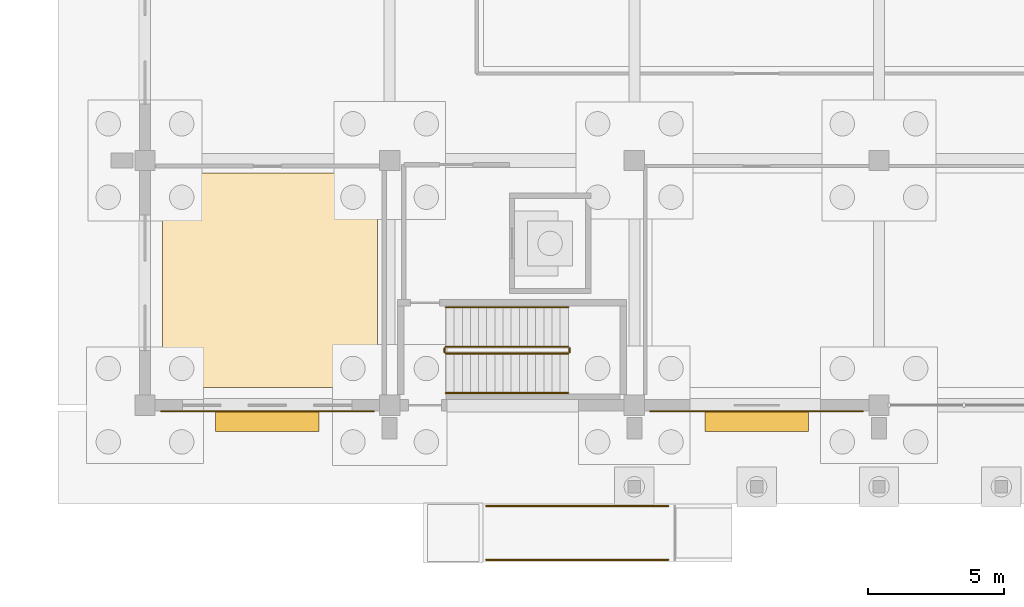
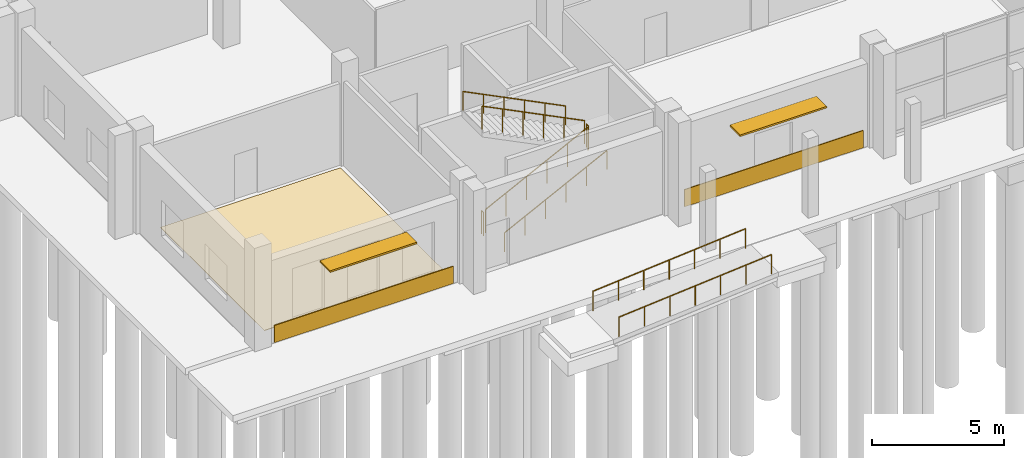
# One storey, part 88 of 112: 8 railings, 3 coverings, 2 shading devices.
"""IFC4 building model written with IfcOpenShell, lengths in metres."""

import ifcopenshell
import ifcopenshell.guid

model = None  # the IFC model being written
_history = None  # IfcOwnerHistory: only IFC2X3 demands one
_inside = {}  # id of a spatial element -> (the spatial element, [elements in it])
_under = {}  # id of a project, library or spatial element -> (it, [spatial elements below it])
_declared = {}  # id of a project -> (the project, [libraries it declares])
_typed = {}  # id of a type object -> (the type object, [elements of that type])
_made_of = {}  # id of a material, layer set ... -> (it, [elements and type objects made of it])


def new_model(schema):
    """Start an empty IFC model of exactly this schema.

    Asked for "IFC4X3", IfcOpenShell would pick the latest addendum, in which some entities
    have other attributes; the version numbers below select the first issue.
    IFC2X3 requires an IfcOwnerHistory on every rooted entity: one is made here for all.
    """
    global model, _history
    if schema == "IFC4X3":
        model = ifcopenshell.file(schema_version=(4, 3, 0, 0))
    else:
        model = ifcopenshell.file(schema=schema)
    _inside.clear()
    _under.clear()
    _declared.clear()
    _typed.clear()
    _made_of.clear()
    _history = None
    if model.schema == "IFC2X3":
        org = make("IfcOrganization", Name="unknown")
        user = make(
            "IfcPersonAndOrganization",
            ThePerson=make("IfcPerson", FamilyName="unknown"),
            TheOrganization=org,
        )
        app = make(
            "IfcApplication",
            ApplicationDeveloper=org,
            Version="unknown",
            ApplicationFullName="unknown",
            ApplicationIdentifier="unknown",
        )
        _history = make(
            "IfcOwnerHistory",
            OwningUser=user,
            OwningApplication=app,
            ChangeAction="ADDED",
            CreationDate=0,
        )
    return model


def make(cls, **values):
    """One entity of the class cls with the attributes given. An attribute that is None is left unset."""
    return model.create_entity(
        cls, **{name: value for name, value in values.items() if value is not None}
    )


def rooted(cls, **values):
    """An entity with a GlobalId (a new one), such as an element, a storey or a relation."""
    return make(cls, GlobalId=ifcopenshell.guid.new(), OwnerHistory=_history, **values)


def si_unit(unit_type, name, prefix=None):
    """IfcSIUnit, for example si_unit("LENGTHUNIT", "METRE", prefix="MILLI")."""
    return make("IfcSIUnit", UnitType=unit_type, Prefix=prefix, Name=name)


def assignment(units):
    """IfcUnitAssignment: the units of a project."""
    return None if units is None else make("IfcUnitAssignment", Units=units)


def point(xyz):
    """IfcCartesianPoint."""
    return None if xyz is None else make("IfcCartesianPoint", Coordinates=xyz)


def direction(xyz):
    """IfcDirection."""
    return None if xyz is None else make("IfcDirection", DirectionRatios=xyz)


def frame(location, z_axis=None, x_axis=None):
    """IfcAxis2Placement3D, a coordinate frame: its origin and axes. An axis left out is left unset."""
    return make(
        "IfcAxis2Placement3D",
        Location=point(location),
        Axis=direction(z_axis),
        RefDirection=direction(x_axis),
    )


def frame_2d(location, x_axis=None):
    """IfcAxis2Placement2D, a coordinate frame in the plane: its origin and x axis."""
    return make(
        "IfcAxis2Placement2D", Location=point(location), RefDirection=direction(x_axis)
    )


def origin():
    """The frame at (0, 0, 0) with its axes left unset."""
    return frame((0.0, 0.0, 0.0))


def origin_2d():
    """The frame at (0, 0) in the plane with its x axis left unset."""
    return frame_2d((0.0, 0.0))


def place(relative_to, where):
    """IfcLocalPlacement: puts the frame where relative to a parent placement (None: the world)."""
    return make(
        "IfcLocalPlacement", PlacementRelTo=relative_to, RelativePlacement=where
    )


def context(
    kind, dimensions, precision=None, world=None, true_north=None, identifier=None
):
    """IfcGeometricRepresentationContext, for example the 3D "Model" context."""
    return make(
        "IfcGeometricRepresentationContext",
        ContextIdentifier=identifier,
        ContextType=kind,
        CoordinateSpaceDimension=dimensions,
        Precision=precision,
        WorldCoordinateSystem=world,
        TrueNorth=true_north,
    )


def subcontext(parent, identifier, kind, view, scale=None):
    """IfcGeometricRepresentationSubContext, for example "Body" below "Model"."""
    return make(
        "IfcGeometricRepresentationSubContext",
        ContextIdentifier=identifier,
        ContextType=kind,
        ParentContext=parent,
        TargetScale=scale,
        TargetView=view,
    )


def project(units=None, contexts=None):
    """IfcProject with its units and contexts."""
    return rooted(
        "IfcProject",
        Name="project",
        RepresentationContexts=contexts,
        UnitsInContext=assignment(units),
    )


def spatial(cls, under=None, at=None, **own):
    """A site, building, storey or space (cls), placed at a placement, below another one or the project."""
    s = rooted(cls, ObjectPlacement=at, **own)
    if under is not None:
        _under.setdefault(under.id(), (under, []))[1].append(s)
    return s


def polyline(points):
    """IfcPolyline through the points."""
    return make("IfcPolyline", Points=[point(p) for p in points])


def profile(cls, at=None, kind="AREA", **sizes):
    """A parametric profile (cls). Its sizes go by their IFC names, for example OverallWidth=200.0."""
    return make(cls, ProfileType=kind, Position=at, **sizes)


def rectangle(**sizes):
    """IfcRectangleProfileDef."""
    return profile("IfcRectangleProfileDef", **sizes)


def circle(**sizes):
    """IfcCircleProfileDef."""
    return profile("IfcCircleProfileDef", **sizes)


def outline(outer, holes=None, kind="AREA"):
    """IfcArbitraryClosedProfileDef: a profile drawn as a closed curve; with holes, ...WithVoids."""
    if holes is None:
        return make("IfcArbitraryClosedProfileDef", ProfileType=kind, OuterCurve=outer)
    return make(
        "IfcArbitraryProfileDefWithVoids",
        ProfileType=kind,
        OuterCurve=outer,
        InnerCurves=holes,
    )


def extrude(swept, where, along, depth):
    """IfcExtrudedAreaSolid: the profile swept, set in the frame where, extruded along a direction by depth."""
    return make(
        "IfcExtrudedAreaSolid",
        SweptArea=swept,
        Position=where,
        ExtrudedDirection=direction(along),
        Depth=depth,
    )


def shape(context_of_items, identifier, shape_type, items):
    """IfcShapeRepresentation: the items that make up one representation, for example the "Body"."""
    return make(
        "IfcShapeRepresentation",
        ContextOfItems=context_of_items,
        RepresentationIdentifier=identifier,
        RepresentationType=shape_type,
        Items=items,
    )


def material(Name=None, Category=None):
    """IfcMaterial."""
    return make("IfcMaterial", Name=Name, Category=Category)


def layer(
    of_material, thickness, ventilated=None, Name=None, Category=None, Priority=None
):
    """IfcMaterialLayer: one layer of a wall or slab, of a material (None: an air gap)."""
    return make(
        "IfcMaterialLayer",
        Material=of_material,
        LayerThickness=thickness,
        IsVentilated=ventilated,
        Name=Name,
        Category=Category,
        Priority=Priority,
    )


def layer_set(layers, Name=None):
    """IfcMaterialLayerSet."""
    return make("IfcMaterialLayerSet", MaterialLayers=layers, LayerSetName=Name)


def made_of(thing, what):
    """Note that an element or type object is made of a material, layer set ...; save() writes the relation."""
    if what is not None:
        _made_of.setdefault(what.id(), (what, []))[1].append(thing)
    return thing


def type_object(cls, material=None, **own):
    """A type object (cls), such as IfcWallType, which elements share."""
    return made_of(rooted(cls, **own), material)


def element(
    cls,
    number,
    at=None,
    inside=None,
    cuts=None,
    type_object=None,
    material=None,
    context=None,
    identifier="Body",
    shape_type=None,
    held_by="IfcProductDefinitionShape",
    body=None,
    shapes=None,
    **own,
):
    """One element of the class cls, such as IfcWall. Its Tag is "e" and its number.

    at: its placement. inside: the storey or other place that contains it. cuts: it is an
    opening in that element (IfcRelVoidsElement). A single representation is given by context,
    identifier, shape_type and body (its items); several are given by shapes. held_by: the class
    of the entity that holds the representations. save() writes the other relations.
    """
    e = rooted(cls, Tag="e%d" % number, ObjectPlacement=at, **own)
    if body is not None:
        shapes = [shape(context, identifier, shape_type, body)]
    if shapes is not None:
        e.Representation = make(held_by, Representations=shapes)
    if inside is not None:
        _inside.setdefault(inside.id(), (inside, []))[1].append(e)
    if cuts is not None:
        rooted(
            "IfcRelVoidsElement", RelatingBuildingElement=cuts, RelatedOpeningElement=e
        )
    if type_object is not None:
        _typed.setdefault(type_object.id(), (type_object, []))[1].append(e)
    return made_of(e, material)


def aggregate(whole, parts):
    """IfcRelAggregates: a whole, such as a stair, and the parts it consists of."""
    return rooted("IfcRelAggregates", RelatingObject=whole, RelatedObjects=parts)


def save(model, path):
    """Write the relations noted so far, then the file.

    IfcRelAggregates (storeys below a building ...), IfcRelContainedInSpatialStructure (elements
    in a storey), IfcRelDefinesByType, IfcRelAssociatesMaterial and IfcRelDeclares: one each for
    every whole, place, type object, material and project.
    """
    for whole, parts in _under.values():
        aggregate(whole, parts)
    for where, things in _inside.values():
        rooted(
            "IfcRelContainedInSpatialStructure",
            RelatedElements=things,
            RelatingStructure=where,
        )
    for kind, things in _typed.values():
        rooted("IfcRelDefinesByType", RelatedObjects=things, RelatingType=kind)
    for what, things in _made_of.values():
        rooted("IfcRelAssociatesMaterial", RelatedObjects=things, RelatingMaterial=what)
    for by, libraries in _declared.values():
        rooted("IfcRelDeclares", RelatingContext=by, RelatedDefinitions=libraries)
    model.write(path)


model = new_model("IFC4")

# Units and contexts
model_context = context("Model", 3, precision=1e-05, world=origin(), true_north=direction((0.0, 1.0)))
body_context = subcontext(model_context, "Body", "Model", "MODEL_VIEW")
ifc_project = project(units=[si_unit("LENGTHUNIT", "METRE"), si_unit("AREAUNIT", "SQUARE_METRE"), si_unit("VOLUMEUNIT", "CUBIC_METRE"), si_unit("PLANEANGLEUNIT", "RADIAN"), si_unit("MASSUNIT", "GRAM", prefix="KILO")], contexts=[model_context])

# Site, building, storey
site_placement = place(None, origin())
site = spatial("IfcSite", under=ifc_project, at=site_placement, CompositionType="ELEMENT")
building_placement = place(site_placement, origin())
building = spatial("IfcBuilding", under=site, at=building_placement, Name="Tharagai Park Tramway Depot", CompositionType="ELEMENT")
storey_placement = place(building_placement, origin())
storey = spatial("IfcBuildingStorey", under=building, at=storey_placement, Name="L00", CompositionType="ELEMENT", Elevation=0.0)

# Coverings
ifc_material_1 = material(Name="Charnockite stone", Category="masonry")
ifc_layer_1 = layer(ifc_material_1, 0.0400390625)
ifc_layer_set_1 = layer_set([ifc_layer_1], Name="Charnockite stone")
covering_type_1 = type_object("IfcCoveringType", Name="CV-02", PredefinedType="CLADDING", material=ifc_layer_set_1)
for number, where, z_axis, x_axis, name in (
    (1, (4.5, -0.22509765625, 0.02001953125), (0.0, 0.0, 1.0), (1.0, 0.0, 0.0), "Charnockite Plinth Cladding CV-02 #1"),
    (2, (22.5, -0.22509765625, 0.02001953125), (0.0, 0.0, 1.0), (1.0, 0.0, 0.0), "Charnockite Plinth Cladding CV-02 #2"),
):
    element("IfcCovering", number, at=place(storey_placement, frame(where, z_axis=z_axis, x_axis=x_axis)), inside=storey, type_object=covering_type_1, Name=name, PredefinedType="CLADDING", context=body_context, shape_type="SweptSolid", body=[
        extrude(rectangle(XDim=7.85400390625, YDim=0.0400390625, at=origin_2d()), origin(), (0.0, 0.0, 1.0), 0.800048828125),
    ])
ifc_material_2 = material(Name="Terracotta floor tile", Category="masonry")
ifc_layer_2 = layer(ifc_material_2, 0.02001953125)
ifc_layer_set_2 = layer_set([ifc_layer_2], Name="Terracotta floor tile")
covering_type_2 = type_object("IfcCoveringType", Name="FN-01", PredefinedType="FLOORING", material=ifc_layer_set_2)
covering_placement = place(storey_placement, origin())
element("IfcCovering", 3, at=covering_placement, inside=storey, type_object=covering_type_2, Name="Fire Command Centre Floor Finish", PredefinedType="FLOORING", context=body_context, shape_type="SweptSolid", body=[
    extrude(outline(polyline([(0.64990234375, 0.64990234375), (8.550048828125, 0.64990234375), (8.550048828125, 8.550048828125), (0.64990234375, 8.550048828125), (0.64990234375, 0.64990234375)])), origin(), (0.0, 0.0, 1.0), 0.02001953125),
])

# Railings
ifc_material_3 = material(Name="Galvanised steel", Category="steel")
railing_type_1 = type_object("IfcRailingType", Name="GR-02", PredefinedType="HANDRAIL", material=ifc_material_3)
for number, where, name in (
    (4, (12.550048828125, -3.7099609375, -0.5791015625), "Ramp RMP-01 Handrail L"),
    (5, (12.550048828125, -5.68994140625, -0.5791015625), "Ramp RMP-01 Handrail R"),
):
    element("IfcRailing", number, at=place(storey_placement, frame(where)), inside=storey, type_object=railing_type_1, Name=name, PredefinedType="HANDRAIL", context=body_context, shape_type="SweptSolid", body=[
        extrude(circle(Radius=0.02392578125, at=origin_2d()), frame((0.0, 0.0, 0.89599609375), z_axis=(0.996545507804, 0.0, 0.083048485091), x_axis=(0.0, 1.0, 0.0)), (0.0, 0.0, 1.0), 6.72314453125),
        extrude(circle(Radius=0.02099609375, at=origin_2d()), origin(), (0.0, 0.0, 1.0), 0.871826171875),
        extrude(circle(Radius=0.02099609375, at=origin_2d()), frame((1.11669921875, 0.0, 0.093017578125)), (0.0, 0.0, 1.0), 0.871826171875),
        extrude(circle(Radius=0.02099609375, at=origin_2d()), frame((2.2333984375, 0.0, 0.18603515625)), (0.0, 0.0, 1.0), 0.871826171875),
        extrude(circle(Radius=0.02099609375, at=origin_2d()), frame((3.35009765625, 0.0, 0.279296875)), (0.0, 0.0, 1.0), 0.871826171875),
        extrude(circle(Radius=0.02099609375, at=origin_2d()), frame((4.466552734375, 0.0, 0.372314453125)), (0.0, 0.0, 1.0), 0.871826171875),
        extrude(circle(Radius=0.02099609375, at=origin_2d()), frame((5.583251953125, 0.0, 0.46533203125)), (0.0, 0.0, 1.0), 0.871826171875),
        extrude(circle(Radius=0.02099609375, at=origin_2d()), frame((6.699951171875, 0.0, 0.558349609375)), (0.0, 0.0, 1.0), 0.871826171875),
    ])
railing_type_2 = type_object("IfcRailingType", Name="HR-02", PredefinedType="GUARDRAIL", material=ifc_material_3)
railing_1_placement = place(storey_placement, frame((11.070068359375, 1.89990234375, 0.14990234375)))
element("IfcRailing", 6, at=railing_1_placement, inside=storey, type_object=railing_type_2, Name="L00 ST-01 stair guard 1", PredefinedType="GUARDRAIL", context=body_context, shape_type="SweptSolid", body=[
    extrude(circle(Radius=0.02392578125, at=origin_2d()), frame((0.0, 0.0, 1.076171875), z_axis=(0.894427191, 0.0, 0.4472135955), x_axis=(0.0, 1.0, 0.0)), (0.0, 0.0, 1.0), 5.03125),
    extrude(circle(Radius=0.02099609375, at=origin_2d()), origin(), (0.0, 0.0, 1.0), 1.052001953125),
    extrude(circle(Radius=0.02099609375, at=origin_2d()), frame((0.89990234375, 0.0, 0.449951171875)), (0.0, 0.0, 1.0), 1.052001953125),
    extrude(circle(Radius=0.02099609375, at=origin_2d()), frame((1.800048828125, 0.0, 0.89990234375)), (0.0, 0.0, 1.0), 1.052001953125),
    extrude(circle(Radius=0.02099609375, at=origin_2d()), frame((2.699951171875, 0.0, 1.35009765625)), (0.0, 0.0, 1.0), 1.052001953125),
    extrude(circle(Radius=0.02099609375, at=origin_2d()), frame((3.60009765625, 0.0, 1.800048828125)), (0.0, 0.0, 1.0), 1.052001953125),
    extrude(circle(Radius=0.02099609375, at=origin_2d()), frame((4.5, 0.0, 2.25)), (0.0, 0.0, 1.0), 1.052001953125),
])
railing_2_placement = place(storey_placement, frame((15.6201171875, 1.949951171875, 2.39990234375)))
element("IfcRailing", 7, at=railing_2_placement, inside=storey, type_object=railing_type_2, Name="L00 ST-01 stair guard 2", PredefinedType="GUARDRAIL", context=body_context, shape_type="SweptSolid", body=[
    extrude(circle(Radius=0.02392578125, at=origin_2d()), frame((0.0, 0.0, 1.076171875), z_axis=(0.0, 1.0, 0.0), x_axis=(-1.0, 0.0, 0.0)), (0.0, 0.0, 1.0), 0.150146484375),
    extrude(circle(Radius=0.02099609375, at=origin_2d()), origin(), (0.0, 0.0, 1.0), 1.052001953125),
    extrude(circle(Radius=0.02099609375, at=origin_2d()), frame((0.0, 0.150146484375, 0.0)), (0.0, 0.0, 1.0), 1.052001953125),
])
railing_3_placement = place(storey_placement, frame((15.570068359375, 2.14990234375, 2.550048828125)))
element("IfcRailing", 8, at=railing_3_placement, inside=storey, type_object=railing_type_2, Name="L00 ST-01 stair guard 3", PredefinedType="GUARDRAIL", context=body_context, shape_type="SweptSolid", body=[
    extrude(circle(Radius=0.02392578125, at=origin_2d()), frame((0.0, 0.0, 1.076171875), z_axis=(-0.894427191, 0.0, 0.4472135955), x_axis=(0.0, -1.0, 0.0)), (0.0, 0.0, 1.0), 5.03125),
    extrude(circle(Radius=0.02099609375, at=origin_2d()), origin(), (0.0, 0.0, 1.0), 1.052001953125),
    extrude(circle(Radius=0.02099609375, at=origin_2d()), frame((-0.89990234375, 0.0, 0.449951171875)), (0.0, 0.0, 1.0), 1.052001953125),
    extrude(circle(Radius=0.02099609375, at=origin_2d()), frame((-1.800048828125, 0.0, 0.89990234375)), (0.0, 0.0, 1.0), 1.052001953125),
    extrude(circle(Radius=0.02099609375, at=origin_2d()), frame((-2.699951171875, 0.0, 1.35009765625)), (0.0, 0.0, 1.0), 1.052001953125),
    extrude(circle(Radius=0.02099609375, at=origin_2d()), frame((-3.60009765625, 0.0, 1.800048828125)), (0.0, 0.0, 1.0), 1.052001953125),
    extrude(circle(Radius=0.02099609375, at=origin_2d()), frame((-4.5, 0.0, 2.25)), (0.0, 0.0, 1.0), 1.052001953125),
])
railing_4_placement = place(storey_placement, frame((11.02001953125, 1.949951171875, 0.0)))
element("IfcRailing", 9, at=railing_4_placement, inside=storey, type_object=railing_type_2, Name="L00 ST-01 stair guard 4", PredefinedType="GUARDRAIL", context=body_context, shape_type="SweptSolid", body=[
    extrude(circle(Radius=0.02392578125, at=origin_2d()), frame((0.0, 0.0, 1.076171875), z_axis=(0.0, 1.0, 0.0), x_axis=(-1.0, 0.0, 0.0)), (0.0, 0.0, 1.0), 0.150146484375),
    extrude(circle(Radius=0.02099609375, at=origin_2d()), origin(), (0.0, 0.0, 1.0), 1.052001953125),
    extrude(circle(Radius=0.02099609375, at=origin_2d()), frame((0.0, 0.150146484375, 0.0)), (0.0, 0.0, 1.0), 1.052001953125),
])
railing_type_3 = type_object("IfcRailingType", Name="HR-03", PredefinedType="HANDRAIL", material=ifc_material_3)
railing_5_placement = place(storey_placement, frame((11.070068359375, 0.449951171875, 0.14990234375)))
element("IfcRailing", 10, at=railing_5_placement, inside=storey, type_object=railing_type_3, Name="L00 ST-01 stair handrail 1", PredefinedType="HANDRAIL", context=body_context, shape_type="SweptSolid", body=[
    extrude(circle(Radius=0.02392578125, at=origin_2d()), frame((0.0, 0.0, 0.8759765625), z_axis=(0.894427191, 0.0, 0.4472135955), x_axis=(0.0, 1.0, 0.0)), (0.0, 0.0, 1.0), 5.03125),
    extrude(circle(Radius=0.02099609375, at=origin_2d()), origin(), (0.0, 0.0, 1.0), 0.851806640625),
    extrude(circle(Radius=0.02099609375, at=origin_2d()), frame((0.89990234375, 0.0, 0.449951171875)), (0.0, 0.0, 1.0), 0.851806640625),
    extrude(circle(Radius=0.02099609375, at=origin_2d()), frame((1.800048828125, 0.0, 0.89990234375)), (0.0, 0.0, 1.0), 0.851806640625),
    extrude(circle(Radius=0.02099609375, at=origin_2d()), frame((2.699951171875, 0.0, 1.35009765625)), (0.0, 0.0, 1.0), 0.851806640625),
    extrude(circle(Radius=0.02099609375, at=origin_2d()), frame((3.60009765625, 0.0, 1.800048828125)), (0.0, 0.0, 1.0), 0.851806640625),
    extrude(circle(Radius=0.02099609375, at=origin_2d()), frame((4.5, 0.0, 2.25)), (0.0, 0.0, 1.0), 0.851806640625),
])
railing_6_placement = place(storey_placement, frame((15.570068359375, 3.60009765625, 2.550048828125)))
element("IfcRailing", 11, at=railing_6_placement, inside=storey, type_object=railing_type_3, Name="L00 ST-01 stair handrail 2", PredefinedType="HANDRAIL", context=body_context, shape_type="SweptSolid", body=[
    extrude(circle(Radius=0.02392578125, at=origin_2d()), frame((0.0, 0.0, 0.8759765625), z_axis=(-0.894427191, 0.0, 0.4472135955), x_axis=(0.0, -1.0, 0.0)), (0.0, 0.0, 1.0), 5.03125),
    extrude(circle(Radius=0.02099609375, at=origin_2d()), origin(), (0.0, 0.0, 1.0), 0.851806640625),
    extrude(circle(Radius=0.02099609375, at=origin_2d()), frame((-0.89990234375, 0.0, 0.449951171875)), (0.0, 0.0, 1.0), 0.851806640625),
    extrude(circle(Radius=0.02099609375, at=origin_2d()), frame((-1.800048828125, 0.0, 0.89990234375)), (0.0, 0.0, 1.0), 0.851806640625),
    extrude(circle(Radius=0.02099609375, at=origin_2d()), frame((-2.699951171875, 0.0, 1.35009765625)), (0.0, 0.0, 1.0), 0.851806640625),
    extrude(circle(Radius=0.02099609375, at=origin_2d()), frame((-3.60009765625, 0.0, 1.800048828125)), (0.0, 0.0, 1.0), 0.851806640625),
    extrude(circle(Radius=0.02099609375, at=origin_2d()), frame((-4.5, 0.0, 2.25)), (0.0, 0.0, 1.0), 0.851806640625),
])

# Shading devices
ifc_material_4 = material(Name="Anodised aluminium", Category="aluminium")
ifc_layer_3 = layer(ifc_material_4, 0.080078125)
ifc_layer_set_3 = layer_set([ifc_layer_3], Name="Anodised aluminium")
shading_device_type = type_object("IfcShadingDeviceType", Name="SD-04", PredefinedType="AWNING", material=ifc_layer_set_3)
for number, where, z_axis, x_axis, name in (
    (12, (4.5, -0.580078125, 3.010009765625), (0.0, 0.0, 1.0), (1.0, 0.0, 0.0), "Entrance Monsoon Canopy Awning SD-04 #1"),
    (13, (22.5, -0.580078125, 3.010009765625), (0.0, 0.0, 1.0), (1.0, 0.0, 0.0), "Entrance Monsoon Canopy Awning SD-04 #2"),
):
    element("IfcShadingDevice", number, at=place(storey_placement, frame(where, z_axis=z_axis, x_axis=x_axis)), inside=storey, type_object=shading_device_type, Name=name, PredefinedType="AWNING", context=body_context, shape_type="SweptSolid", body=[
        extrude(rectangle(XDim=3.800048828125, YDim=0.780029296875, at=origin_2d()), origin(), (0.0, 0.0, 1.0), 0.080078125),
    ])

save(model, "model.ifc")
